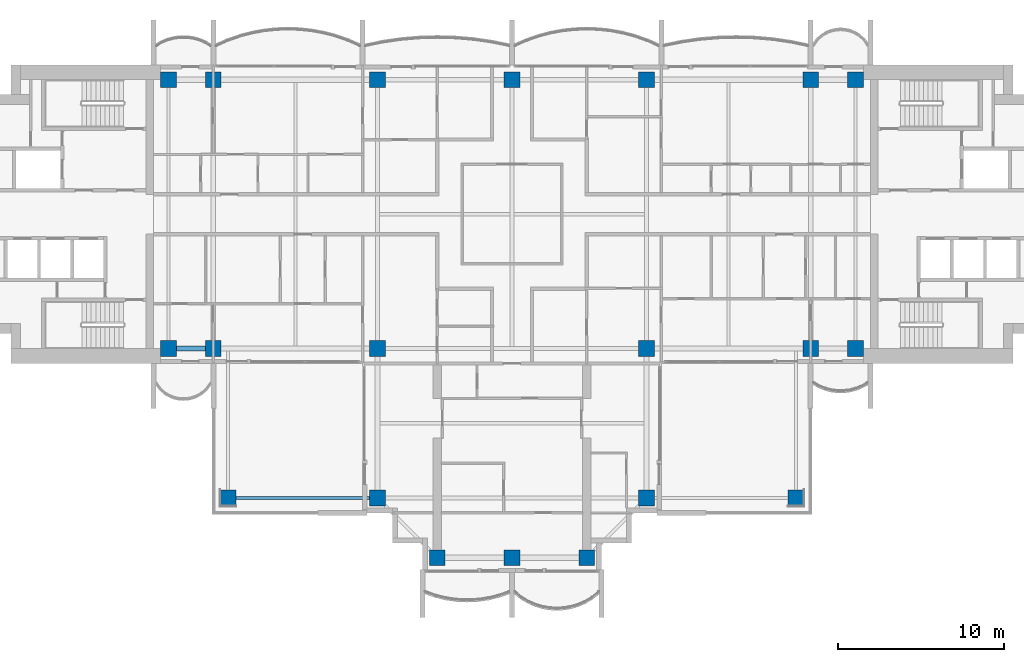
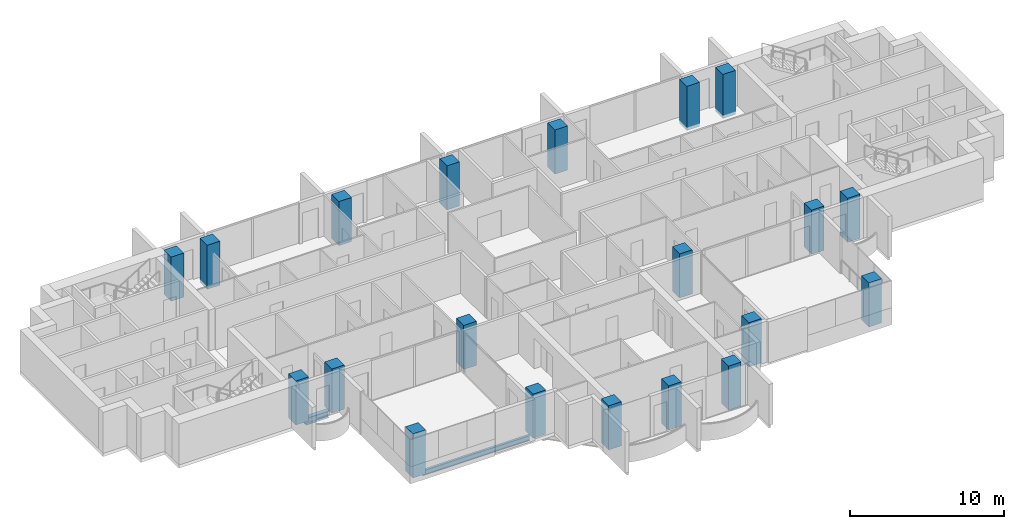
# One storey, part 1 of 17: 20 columns, 2 beams.
"""IFC4 building model written with IfcOpenShell, lengths in metres."""

from ifc_helpers import new_model, si_unit, direction, frame, origin, origin_2d, place, context, subcontext, project, spatial, rectangle, i_section, extrude, material, material_profile, profile_set, type_object, element, save


model = new_model("IFC4")

# Units and contexts
model_context = context("Model", 3, precision=1e-05, world=origin(), true_north=direction((0.0, 1.0)))
body_context = subcontext(model_context, "Body", "Model", "MODEL_VIEW")
ifc_project = project(units=[si_unit("LENGTHUNIT", "METRE"), si_unit("AREAUNIT", "SQUARE_METRE"), si_unit("VOLUMEUNIT", "CUBIC_METRE"), si_unit("PLANEANGLEUNIT", "RADIAN"), si_unit("MASSUNIT", "GRAM", prefix="KILO")], contexts=[model_context])

# Site, building, storey
site_placement = place(None, origin())
site = spatial("IfcSite", under=ifc_project, at=site_placement, CompositionType="ELEMENT")
building_placement = place(site_placement, origin())
building = spatial("IfcBuilding", under=site, at=building_placement, Name="Perihelion Cross Residences", CompositionType="ELEMENT")
storey_placement = place(building_placement, frame((0.0, 0.0, 212.10009765625)))
storey = spatial("IfcBuildingStorey", under=building, at=storey_placement, Name="L53", CompositionType="ELEMENT", Elevation=212.10009765625)

# Columns
ifc_material_1 = material(Name="Concrete C60/75", Category="concrete")
ifc_material_profile_1 = material_profile(ifc_material_1, rectangle(XDim=0.949951171875, YDim=0.949951171875, at=origin_2d()), Name="RC 950x950")
ifc_profile_set_1 = profile_set([ifc_material_profile_1], Name="Concrete C60/75")
column_type = type_object("IfcColumnType", Name="Reinforced concrete column 950x950 C60/75", PredefinedType="COLUMN", material=ifc_profile_set_1)
for number, where, z_axis, x_axis, name in (
    (1, (-20.699951171875, -8.10009765625, -0.25), (0.0, 0.0, 1.0), (1.0, 0.0, 0.0), "Column C017 L53 no. 1"),
    (2, (-20.699951171875, 8.10009765625, -0.25), (0.0, 0.0, 1.0), (1.0, 0.0, 0.0), "Column C010 L53 no. 1"),
    (3, (-18.0, -8.10009765625, -0.25), (0.0, 0.0, 1.0), (1.0, 0.0, 0.0), "Column C018 L53 no. 1"),
    (4, (-18.0, 8.10009765625, -0.25), (0.0, 0.0, 1.0), (1.0, 0.0, 0.0), "Column C011 L53 no. 1"),
    (5, (-8.10009765625, -17.10009765625, -0.25), (0.0, 0.0, 1.0), (1.0, 0.0, 0.0), "Column C031 L53 no. 1"),
    (6, (-8.10009765625, -8.10009765625, -0.25), (0.0, 0.0, 1.0), (1.0, 0.0, 0.0), "Column C019 L53 no. 1"),
    (7, (-8.10009765625, 8.10009765625, -0.25), (0.0, 0.0, 1.0), (1.0, 0.0, 0.0), "Column C012 L53 no. 1"),
    (8, (-4.5, -20.699951171875, -0.25), (0.0, 0.0, 1.0), (1.0, 0.0, 0.0), "Column C037 L53 no. 1"),
    (9, (0.0, -20.699951171875, -0.25), (0.0, 0.0, 1.0), (1.0, 0.0, 0.0), "Column C038 L53 no. 1"),
    (10, (0.0, 8.10009765625, -0.25), (0.0, 0.0, 1.0), (1.0, 0.0, 0.0), "Column C013 L53 no. 1"),
    (11, (4.5, -20.699951171875, -0.25), (0.0, 0.0, 1.0), (1.0, 0.0, 0.0), "Column C039 L53 no. 1"),
    (12, (8.10009765625, -17.10009765625, -0.25), (0.0, 0.0, 1.0), (1.0, 0.0, 0.0), "Column C035 L53 no. 1"),
    (13, (8.10009765625, -8.10009765625, -0.25), (0.0, 0.0, 1.0), (1.0, 0.0, 0.0), "Column C020 L53 no. 1"),
    (14, (8.10009765625, 8.10009765625, -0.25), (0.0, 0.0, 1.0), (1.0, 0.0, 0.0), "Column C014 L53 no. 1"),
    (15, (18.0, -8.10009765625, -0.25), (0.0, 0.0, 1.0), (1.0, 0.0, 0.0), "Column C021 L53 no. 1"),
    (16, (18.0, 8.10009765625, -0.25), (0.0, 0.0, 1.0), (1.0, 0.0, 0.0), "Column C015 L53 no. 1"),
    (17, (20.699951171875, -8.10009765625, -0.25), (0.0, 0.0, 1.0), (1.0, 0.0, 0.0), "Column C022 L53 no. 1"),
    (18, (20.699951171875, 8.10009765625, -0.25), (0.0, 0.0, 1.0), (1.0, 0.0, 0.0), "Column C016 L53 no. 1"),
    (19, (-17.10009765625, -17.10009765625, -0.25), (0.0, 0.0, 1.0), (1.0, 0.0, 0.0), "Column C030 L53 no. 1"),
    (20, (17.10009765625, -17.10009765625, -0.25), (0.0, 0.0, 1.0), (1.0, 0.0, 0.0), "Column C036 L53 no. 1"),
):
    element("IfcColumn", number, at=place(storey_placement, frame(where, z_axis=z_axis, x_axis=x_axis)), inside=storey, type_object=column_type, Name=name, PredefinedType="COLUMN", context=body_context, shape_type="SweptSolid", body=[
        extrude(rectangle(XDim=0.949951171875, YDim=0.949951171875, at=origin_2d()), origin(), (0.0, 0.0, 1.0), 3.5),
    ])

# Beams
ifc_material_2 = material(Name="Steel S355", Category="steel")
ifc_material_profile_2 = material_profile(ifc_material_2, i_section(OverallWidth=0.177978515625, OverallDepth=0.406005859375, WebThickness=0.0078125, FlangeThickness=0.0126953125, at=origin_2d()), Name="W410x60")
ifc_profile_set_2 = profile_set([ifc_material_profile_2], Name="Steel S355")
beam_type_1 = type_object("IfcBeamType", Name="Core edge beam W410x60", PredefinedType="BEAM", material=ifc_profile_set_2)
beam_1_placement = place(storey_placement, frame((-8.574951171875, -17.10009765625, -0.453125), z_axis=(-1.0, 0.0, 0.0), x_axis=(0.0, -1.0, 0.0)))
element("IfcBeam", 21, at=beam_1_placement, inside=storey, type_object=beam_type_1, Name="Core edge beam TB2 L53 corner no. 2", PredefinedType="BEAM", context=body_context, shape_type="SweptSolid", body=[
    extrude(i_section(OverallWidth=0.177978515625, OverallDepth=0.406005859375, WebThickness=0.0078125, FlangeThickness=0.0126953125, at=origin_2d()), origin(), (0.0, 0.0, 1.0), 8.050048828125),
])
ifc_material_3 = material(Name="Steel S355", Category="steel")
ifc_material_profile_3 = material_profile(ifc_material_3, i_section(OverallWidth=0.31201171875, OverallDepth=0.5439453125, WebThickness=0.0126953125, FlangeThickness=0.020263671875, at=origin_2d()), Name="W530x150")
ifc_profile_set_3 = profile_set([ifc_material_profile_3], Name="Steel S355")
beam_type_2 = type_object("IfcBeamType", Name="Edge beam W530x150", PredefinedType="SPANDREL", material=ifc_profile_set_3)
beam_2_placement = place(storey_placement, frame((-20.22509765625, -8.10009765625, -0.522216796875), z_axis=(1.0, 0.0, 0.0), x_axis=(0.0, 1.0, 0.0)))
element("IfcBeam", 22, at=beam_2_placement, inside=storey, type_object=beam_type_2, Name="Edge beam SB4 L53 no. 3", PredefinedType="SPANDREL", context=body_context, shape_type="SweptSolid", body=[
    extrude(i_section(OverallWidth=0.31201171875, OverallDepth=0.5439453125, WebThickness=0.0126953125, FlangeThickness=0.020263671875, at=origin_2d()), origin(), (0.0, 0.0, 1.0), 1.75),
])

save(model, "model.ifc")
